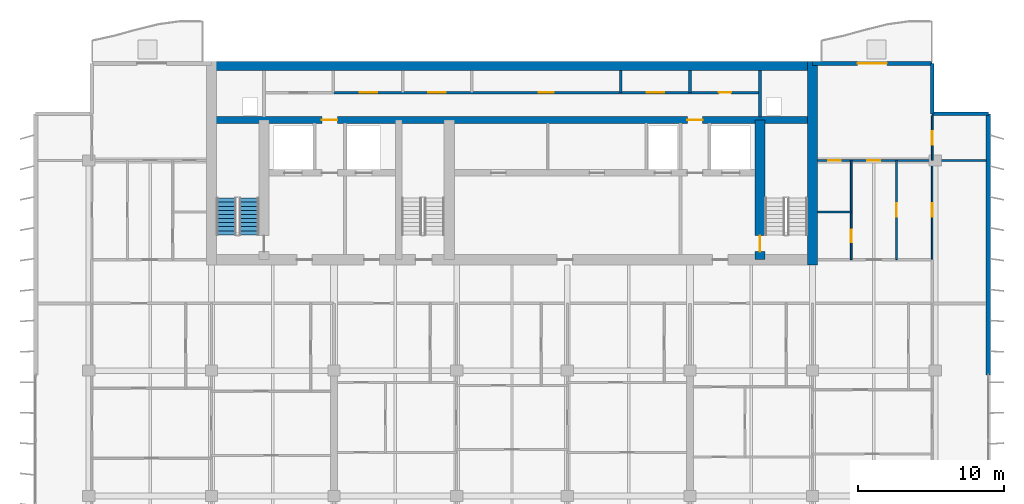
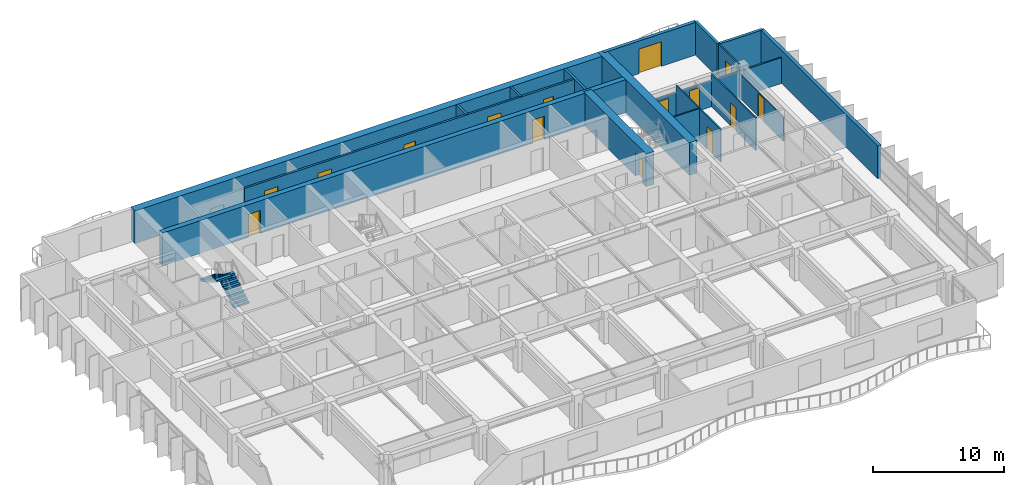
# One storey, part 11 of 16: 18 walls, 15 doors, 2 stair flights, 15 openings, 1 element without a shape of its own.
"""IFC4 building model written with IfcOpenShell, lengths in metres."""

from ifc_helpers import new_model, si_unit, direction, frame, frame_2d, origin, place, context, subcontext, project, spatial, polyline, rectangle, outline, extrude, material, layer, layer_set, type_object, element, fill, aggregate, save


model = new_model("IFC4")

# Units and contexts
model_context = context("Model", 3, precision=1e-05, world=origin(), true_north=direction((0.0, 1.0)))
body_context = subcontext(model_context, "Body", "Model", "MODEL_VIEW")
ifc_project = project(units=[si_unit("LENGTHUNIT", "METRE"), si_unit("AREAUNIT", "SQUARE_METRE"), si_unit("VOLUMEUNIT", "CUBIC_METRE"), si_unit("PLANEANGLEUNIT", "RADIAN"), si_unit("MASSUNIT", "GRAM", prefix="KILO")], contexts=[model_context])

# Site, building, storey
site_placement = place(None, origin())
site = spatial("IfcSite", under=ifc_project, at=site_placement, CompositionType="ELEMENT")
building_placement = place(site_placement, origin())
building = spatial("IfcBuilding", under=site, at=building_placement, Name="Caelmar Bay Residences", CompositionType="ELEMENT")
storey_placement = place(building_placement, frame((0.0, 0.0, 211.5)))
storey = spatial("IfcBuildingStorey", under=building, at=storey_placement, Name="L59", CompositionType="ELEMENT", Elevation=211.5)

# Wall
ifc_material_1 = material(Name="Concrete f'c 55 MPa (8,000 psi)", Category="concrete")
ifc_layer_1 = layer(ifc_material_1, 0.699951171875)
ifc_layer_set_1 = layer_set([ifc_layer_1], Name="Concrete f'c 55 MPa (8,000 psi)")
wall_type_1 = type_object("IfcWallType", Name="SW-COR-700", PredefinedType="SHEAR", material=ifc_layer_set_1)
wall_1_placement = place(storey_placement, frame((59.5, 36.64990234375, 0.0), z_axis=(0.0, 0.0, 1.0), x_axis=(0.0, 1.0, 0.0)))
element("IfcWall", 1, at=wall_1_placement, inside=storey, type_object=wall_type_1, Name="L59 Rear Core East Shear Wall", PredefinedType="SHEAR", context=body_context, shape_type="SweptSolid", body=[
    extrude(rectangle(XDim=13.9501953125, YDim=0.699951171875, at=frame_2d((6.97509765625, 0.0))), origin(), (0.0, 0.0, 1.0), 3.050048828125),
])

# Wall, opening, door
wall_2_placement = place(storey_placement, frame((55.89990234375, 37.0, 0.0), z_axis=(0.0, 0.0, 1.0), x_axis=(0.0, 1.0, 0.0)))
wall_2 = element("IfcWall", 2, at=wall_2_placement, inside=storey, type_object=wall_type_1, Name="L59 Core Structural Web Wall ST2W", PredefinedType="SHEAR", context=body_context, shape_type="SweptSolid", body=[
    extrude(rectangle(XDim=9.574951171875, YDim=0.699951171875, at=frame_2d((4.78759765625, 0.0))), origin(), (0.0, 0.0, 1.0), 3.050048828125),
])
opening_1_placement = place(wall_2_placement, frame((0.550048828125, 0.0, 0.0)))
opening_1 = element("IfcOpeningElement", 3, at=opening_1_placement, cuts=wall_2, Name="Opening D-L59-110", PredefinedType="OPENING", context=body_context, shape_type="SweptSolid", body=[
    extrude(rectangle(XDim=1.10009765625, YDim=2.14990234375, at=frame_2d((0.550048828125, 1.074951171875))), frame((0.0, 0.35986328125, 0.0), z_axis=(0.0, -1.0, 0.0), x_axis=(1.0, 0.0, 0.0)), (0.0, 0.0, 1.0), 0.719970703125),
])
ifc_material_2 = material(Name="Fire-rated steel and walnut architectural door assembly", Category="steel")
ifc_layer_2 = layer(ifc_material_2, 0.050048828125)
ifc_layer_set_2 = layer_set([ifc_layer_2], Name="Fire-rated steel and walnut architectural door assembly")
door_type_1 = type_object("IfcDoorType", Name="D-STAIR-1100", OperationType="NOTDEFINED", PredefinedType="DOOR", material=ifc_layer_set_2)
door_1_placement = place(opening_1_placement, origin())
door_1 = element("IfcDoor", 4, at=door_1_placement, inside=storey, type_object=door_type_1, Name="L59 Firefighting Lobby East Door", OperationType="SINGLE_SWING_RIGHT", OverallHeight=2.14990234375, OverallWidth=1.10009765625, PredefinedType="DOOR", context=body_context, shape_type="SweptSolid", body=[
    extrude(rectangle(XDim=1.10009765625, YDim=2.14990234375, at=frame_2d((0.550048828125, 1.074951171875))), frame((0.0, 0.02490234375, 0.0), z_axis=(0.0, -1.0, 0.0), x_axis=(1.0, 0.0, 0.0)), (0.0, 0.0, 1.0), 0.050048828125),
])
fill(opening_1, door_1)

# Wall
ifc_layer_3 = layer(ifc_material_1, 0.64990234375)
ifc_layer_set_3 = layer_set([ifc_layer_3], Name="Concrete f'c 55 MPa (8,000 psi)")
wall_type_2 = type_object("IfcWallType", Name="SW-CORN-650", PredefinedType="SHEAR", material=ifc_layer_set_3)
wall_3_placement = place(storey_placement, frame((17.949951171875, 50.27490234375, 0.0), z_axis=(0.0, 0.0, 1.0), x_axis=(1.0, 0.0, 0.0)))
element("IfcWall", 5, at=wall_3_placement, inside=storey, type_object=wall_type_2, Name="L59 Rear Core North Shear Wall", PredefinedType="SHEAR", context=body_context, shape_type="SweptSolid", body=[
    extrude(rectangle(XDim=41.900146484375, YDim=0.64990234375, at=frame_2d((20.9501953125, 0.0))), origin(), (0.0, 0.0, 1.0), 3.050048828125),
])

# Wall, openings, doors
ifc_material_3 = material(Name="Concrete f'c 70 MPa (10,000 psi)", Category="concrete")
ifc_layer_4 = layer(ifc_material_3, 0.449951171875)
ifc_layer_set_4 = layer_set([ifc_layer_4], Name="Concrete f'c 70 MPa (10,000 psi)")
wall_type_3 = type_object("IfcWallType", Name="SW-WEB-450", PredefinedType="SHEAR", material=ifc_layer_set_4)
wall_4_placement = place(storey_placement, frame((18.300048828125, 46.574951171875, 0.0), z_axis=(0.0, 0.0, 1.0), x_axis=(1.0, 0.0, 0.0)))
wall_4 = element("IfcWall", 6, at=wall_4_placement, inside=storey, type_object=wall_type_3, Name="L59 Core Structural Web Wall SRVS", PredefinedType="SHEAR", context=body_context, shape_type="SweptSolid", body=[
    extrude(rectangle(XDim=41.199951171875, YDim=0.449951171875, at=frame_2d((20.60009765625, 0.0))), origin(), (0.0, 0.0, 1.0), 3.050048828125),
])
opening_2_placement = place(wall_4_placement, frame((7.574951171875, 0.0, 0.0)))
opening_2 = element("IfcOpeningElement", 7, at=opening_2_placement, cuts=wall_4, Name="Opening D-L59-116", PredefinedType="OPENING", context=body_context, shape_type="SweptSolid", body=[
    extrude(rectangle(XDim=1.050048828125, YDim=2.14990234375, at=frame_2d((0.52490234375, 1.074951171875))), frame((0.0, 0.23486328125, 0.0), z_axis=(0.0, -1.0, 0.0), x_axis=(1.0, 0.0, 0.0)), (0.0, 0.0, 1.0), 0.469970703125),
])
opening_3_placement = place(wall_4_placement, frame((32.625, 0.0, 0.0)))
opening_3 = element("IfcOpeningElement", 8, at=opening_3_placement, cuts=wall_4, Name="Opening D-L59-117", PredefinedType="OPENING", context=body_context, shape_type="SweptSolid", body=[
    extrude(rectangle(XDim=1.050048828125, YDim=2.14990234375, at=frame_2d((0.52490234375, 1.074951171875))), frame((0.0, 0.23486328125, 0.0), z_axis=(0.0, -1.0, 0.0), x_axis=(1.0, 0.0, 0.0)), (0.0, 0.0, 1.0), 0.469970703125),
])
ifc_layer_5 = layer(ifc_material_2, 0.050048828125)
ifc_layer_set_5 = layer_set([ifc_layer_5], Name="Fire-rated steel and walnut architectural door assembly")
door_type_2 = type_object("IfcDoorType", Name="D-FSAE-1050", OperationType="NOTDEFINED", PredefinedType="DOOR", material=ifc_layer_set_5)
door_2_placement = place(opening_2_placement, origin())
door_2 = element("IfcDoor", 9, at=door_2_placement, inside=storey, type_object=door_type_2, Name="L59 Core Service Corridor Door", OperationType="SINGLE_SWING_RIGHT", OverallHeight=2.14990234375, OverallWidth=1.050048828125, PredefinedType="DOOR", context=body_context, shape_type="SweptSolid", body=[
    extrude(rectangle(XDim=1.050048828125, YDim=2.14990234375, at=frame_2d((0.52490234375, 1.074951171875))), frame((0.0, 0.02490234375, 0.0), z_axis=(0.0, -1.0, 0.0), x_axis=(1.0, 0.0, 0.0)), (0.0, 0.0, 1.0), 0.050048828125),
])
fill(opening_2, door_2)
door_3_placement = place(opening_3_placement, origin())
door_3 = element("IfcDoor", 10, at=door_3_placement, inside=storey, type_object=door_type_2, Name="L59 Core Service Corridor Door", OperationType="SINGLE_SWING_LEFT", OverallHeight=2.14990234375, OverallWidth=1.050048828125, PredefinedType="DOOR", context=body_context, shape_type="SweptSolid", body=[
    extrude(rectangle(XDim=1.050048828125, YDim=2.14990234375, at=frame_2d((0.52490234375, 1.074951171875))), frame((0.0, 0.02490234375, 0.0), z_axis=(0.0, -1.0, 0.0), x_axis=(1.0, 0.0, 0.0)), (0.0, 0.0, 1.0), 0.050048828125),
])
fill(opening_3, door_3)

# Walls
ifc_material_4 = material(Name="Double-stud acoustic fire-rated gypsum partition 180 mm")
ifc_layer_6 = layer(ifc_material_4, 0.179931640625)
ifc_layer_set_6 = layer_set([ifc_layer_6], Name="Double-stud acoustic fire-rated gypsum partition 180 mm")
wall_type_4 = type_object("IfcWallType", Name="W-COR-200", PredefinedType="PARTITIONING", material=ifc_layer_set_6)
for number, where, z_axis, x_axis, name in (
    (11, (46.35009765625, 48.449951171875, 0.0), (0.0, 0.0, 1.0), (0.0, 1.0, 0.0), "L59 Partition Wall V029"),
    (12, (51.10009765625, 48.449951171875, 0.0), (0.0, 0.0, 1.0), (0.0, 1.0, 0.0), "L59 Partition Wall V037"),
):
    element("IfcWall", number, at=place(storey_placement, frame(where, z_axis=z_axis, x_axis=x_axis)), inside=storey, type_object=wall_type_4, Name=name, PredefinedType="PARTITIONING", context=body_context, shape_type="SweptSolid", body=[
        extrude(rectangle(XDim=1.505126953125, YDim=0.179931640625, at=frame_2d((0.75244140625, 0.0))), origin(), (0.0, 0.0, 1.0), 3.050048828125),
    ])

# Wall, openings, doors
wall_5_placement = place(storey_placement, frame((26.699951171875, 48.449951171875, 0.0), z_axis=(0.0, 0.0, 1.0), x_axis=(1.0, 0.0, 0.0)))
wall_5 = element("IfcWall", 13, at=wall_5_placement, inside=storey, type_object=wall_type_4, Name="L59 Partition Wall H079", PredefinedType="PARTITIONING", context=body_context, shape_type="SweptSolid", body=[
    extrude(rectangle(XDim=29.199951171875, YDim=0.179931640625, at=frame_2d((14.60009765625, 0.0))), origin(), (0.0, 0.0, 1.0), 3.050048828125),
])
opening_4_placement = place(wall_5_placement, frame((1.75, 0.0, 0.0)))
opening_4 = element("IfcOpeningElement", 14, at=opening_4_placement, cuts=wall_5, Name="Opening D-L59-119", PredefinedType="OPENING", context=body_context, shape_type="SweptSolid", body=[
    extrude(rectangle(XDim=1.199951171875, YDim=2.199951171875, at=frame_2d((0.60009765625, 1.10009765625))), frame((0.0, 0.099853515625, 0.0), z_axis=(0.0, -1.0, 0.0), x_axis=(1.0, 0.0, 0.0)), (0.0, 0.0, 1.0), 0.199951171875),
])
opening_5_placement = place(wall_5_placement, frame((6.47509765625, 0.0, 0.0)))
opening_5 = element("IfcOpeningElement", 15, at=opening_5_placement, cuts=wall_5, Name="Opening D-L59-120", PredefinedType="OPENING", context=body_context, shape_type="SweptSolid", body=[
    extrude(rectangle(XDim=1.199951171875, YDim=2.199951171875, at=frame_2d((0.60009765625, 1.10009765625))), frame((0.0, 0.099853515625, 0.0), z_axis=(0.0, -1.0, 0.0), x_axis=(1.0, 0.0, 0.0)), (0.0, 0.0, 1.0), 0.199951171875),
])
opening_6_placement = place(wall_5_placement, frame((14.050048828125, 0.0, 0.0)))
opening_6 = element("IfcOpeningElement", 16, at=opening_6_placement, cuts=wall_5, Name="Opening D-L59-121", PredefinedType="OPENING", context=body_context, shape_type="SweptSolid", body=[
    extrude(rectangle(XDim=1.0, YDim=2.199951171875, at=frame_2d((0.5, 1.10009765625))), frame((0.0, 0.099853515625, 0.0), z_axis=(0.0, -1.0, 0.0), x_axis=(1.0, 0.0, 0.0)), (0.0, 0.0, 1.0), 0.199951171875),
])
opening_7_placement = place(wall_5_placement, frame((21.425048828125, 0.0, 0.0)))
opening_7 = element("IfcOpeningElement", 17, at=opening_7_placement, cuts=wall_5, Name="Opening D-L59-122", PredefinedType="OPENING", context=body_context, shape_type="SweptSolid", body=[
    extrude(rectangle(XDim=1.199951171875, YDim=2.199951171875, at=frame_2d((0.60009765625, 1.10009765625))), frame((0.0, 0.099853515625, 0.0), z_axis=(0.0, -1.0, 0.0), x_axis=(1.0, 0.0, 0.0)), (0.0, 0.0, 1.0), 0.199951171875),
])
opening_8_placement = place(wall_5_placement, frame((26.375, 0.0, 0.0)))
opening_8 = element("IfcOpeningElement", 18, at=opening_8_placement, cuts=wall_5, Name="Opening D-L59-123", PredefinedType="OPENING", context=body_context, shape_type="SweptSolid", body=[
    extrude(rectangle(XDim=0.85009765625, YDim=2.10009765625, at=frame_2d((0.425048828125, 1.050048828125))), frame((0.0, 0.099853515625, 0.0), z_axis=(0.0, -1.0, 0.0), x_axis=(1.0, 0.0, 0.0)), (0.0, 0.0, 1.0), 0.199951171875),
])
ifc_layer_7 = layer(ifc_material_2, 0.050048828125)
ifc_layer_set_7 = layer_set([ifc_layer_7], Name="Fire-rated steel and walnut architectural door assembly")
door_type_3 = type_object("IfcDoorType", Name="D-CORE-850", OperationType="NOTDEFINED", PredefinedType="DOOR", material=ifc_layer_set_7)
door_4_placement = place(opening_8_placement, origin())
door_4 = element("IfcDoor", 19, at=door_4_placement, inside=storey, type_object=door_type_3, Name="L59 Staff Restroom Door", OperationType="SINGLE_SWING_LEFT", OverallHeight=2.10009765625, OverallWidth=0.85009765625, PredefinedType="DOOR", context=body_context, shape_type="SweptSolid", body=[
    extrude(rectangle(XDim=0.85009765625, YDim=2.10009765625, at=frame_2d((0.425048828125, 1.050048828125))), frame((0.0, 0.02490234375, 0.0), z_axis=(0.0, -1.0, 0.0), x_axis=(1.0, 0.0, 0.0)), (0.0, 0.0, 1.0), 0.050048828125),
])
fill(opening_8, door_4)
ifc_layer_8 = layer(ifc_material_2, 0.050048828125)
ifc_layer_set_8 = layer_set([ifc_layer_8], Name="Fire-rated steel and walnut architectural door assembly")
door_type_4 = type_object("IfcDoorType", Name="D-PLANT-1200", OperationType="NOTDEFINED", PredefinedType="DOOR", material=ifc_layer_set_8)
door_5_placement = place(opening_4_placement, origin())
door_5 = element("IfcDoor", 20, at=door_5_placement, inside=storey, type_object=door_type_4, Name="L59 Water Meter Closet Door", OperationType="SINGLE_SWING_LEFT", OverallHeight=2.199951171875, OverallWidth=1.199951171875, PredefinedType="DOOR", context=body_context, shape_type="SweptSolid", body=[
    extrude(rectangle(XDim=1.199951171875, YDim=2.199951171875, at=frame_2d((0.60009765625, 1.10009765625))), frame((0.0, 0.02490234375, 0.0), z_axis=(0.0, -1.0, 0.0), x_axis=(1.0, 0.0, 0.0)), (0.0, 0.0, 1.0), 0.050048828125),
])
fill(opening_4, door_5)
door_6_placement = place(opening_5_placement, origin())
door_6 = element("IfcDoor", 21, at=door_6_placement, inside=storey, type_object=door_type_4, Name="L59 Low-Voltage Data Closet Door", OperationType="SINGLE_SWING_RIGHT", OverallHeight=2.199951171875, OverallWidth=1.199951171875, PredefinedType="DOOR", context=body_context, shape_type="SweptSolid", body=[
    extrude(rectangle(XDim=1.199951171875, YDim=2.199951171875, at=frame_2d((0.60009765625, 1.10009765625))), frame((0.0, 0.02490234375, 0.0), z_axis=(0.0, -1.0, 0.0), x_axis=(1.0, 0.0, 0.0)), (0.0, 0.0, 1.0), 0.050048828125),
])
fill(opening_5, door_6)
door_7_placement = place(opening_7_placement, origin())
door_7 = element("IfcDoor", 22, at=door_7_placement, inside=storey, type_object=door_type_4, Name="L59 Valet Trunk Closet Door", OperationType="SINGLE_SWING_RIGHT", OverallHeight=2.199951171875, OverallWidth=1.199951171875, PredefinedType="DOOR", context=body_context, shape_type="SweptSolid", body=[
    extrude(rectangle(XDim=1.199951171875, YDim=2.199951171875, at=frame_2d((0.60009765625, 1.10009765625))), frame((0.0, 0.02490234375, 0.0), z_axis=(0.0, -1.0, 0.0), x_axis=(1.0, 0.0, 0.0)), (0.0, 0.0, 1.0), 0.050048828125),
])
fill(opening_7, door_7)
ifc_layer_9 = layer(ifc_material_2, 0.050048828125)
ifc_layer_set_9 = layer_set([ifc_layer_9], Name="Fire-rated steel and walnut architectural door assembly")
door_type_5 = type_object("IfcDoorType", Name="D-UNIT-1000", OperationType="NOTDEFINED", PredefinedType="DOOR", material=ifc_layer_set_9)
door_8_placement = place(opening_6_placement, origin())
door_8 = element("IfcDoor", 23, at=door_8_placement, inside=storey, type_object=door_type_5, Name="L59 Mail Sorting Office Door", OperationType="SINGLE_SWING_LEFT", OverallHeight=2.199951171875, OverallWidth=1.0, PredefinedType="DOOR", context=body_context, shape_type="SweptSolid", body=[
    extrude(rectangle(XDim=1.0, YDim=2.199951171875, at=frame_2d((0.5, 1.10009765625))), frame((0.0, 0.02490234375, 0.0), z_axis=(0.0, -1.0, 0.0), x_axis=(1.0, 0.0, 0.0)), (0.0, 0.0, 1.0), 0.050048828125),
])
fill(opening_6, door_8)

# Walls
ifc_material_5 = material(Name="Precast concrete f'c 40 MPa (6,000 psi)", Category="concrete")
ifc_layer_10 = layer(ifc_material_5, 0.25)
ifc_layer_set_10 = layer_set([ifc_layer_10], Name="Precast concrete f'c 40 MPa (6,000 psi)")
wall_type_5 = type_object("IfcWallType", Name="W-EXT-250", PredefinedType="ELEMENTEDWALL", material=ifc_layer_set_10)
wall_6_placement = place(storey_placement, frame((67.699951171875, 50.449951171875, 0.0), z_axis=(0.0, 0.0, 1.0), x_axis=(0.0, -1.0, 0.0)))
element("IfcWall", 24, at=wall_6_placement, inside=storey, type_object=wall_type_5, Name="L59 NNE-V Notch Wall", PredefinedType="ELEMENTEDWALL", context=body_context, shape_type="SweptSolid", body=[
    extrude(rectangle(XDim=3.449951171875, YDim=0.25, at=frame_2d((1.72509765625, 0.0))), origin(), (0.0, 0.0, 1.0), 3.050048828125),
])
wall_7_placement = place(storey_placement, frame((67.699951171875, 47.0, 0.0), z_axis=(0.0, 0.0, 1.0), x_axis=(1.0, 0.0, 0.0)))
element("IfcWall", 25, at=wall_7_placement, inside=storey, type_object=wall_type_5, Name="L59 NNE-H Notch Wall", PredefinedType="ELEMENTEDWALL", context=body_context, shape_type="SweptSolid", body=[
    extrude(rectangle(XDim=3.85009765625, YDim=0.25, at=frame_2d((1.925048828125, 0.0))), origin(), (0.0, 0.0, 1.0), 3.050048828125),
])
ifc_layer_11 = layer(ifc_material_5, 0.300048828125)
ifc_layer_set_11 = layer_set([ifc_layer_11], Name="Precast concrete f'c 40 MPa (6,000 psi)")
wall_type_6 = type_object("IfcWallType", Name="W-EXT-300", PredefinedType="STANDARD", material=ifc_layer_set_11)
wall_8_placement = place(storey_placement, frame((71.550048828125, 47.0, 0.0), z_axis=(0.0, 0.0, 1.0), x_axis=(0.0, -1.0, 0.0)))
element("IfcWall", 26, at=wall_8_placement, inside=storey, type_object=wall_type_6, Name="L59 East Rear Exterior Wall", PredefinedType="STANDARD", context=body_context, shape_type="SweptSolid", body=[
    extrude(rectangle(XDim=17.89990234375, YDim=0.300048828125, at=frame_2d((8.949951171875, 0.0))), origin(), (0.0, 0.0, 1.0), 3.050048828125),
])

# Wall, opening, door
wall_9_placement = place(storey_placement, frame((59.5, 50.449951171875, 0.0), z_axis=(0.0, 0.0, 1.0), x_axis=(1.0, 0.0, 0.0)))
wall_9 = element("IfcWall", 27, at=wall_9_placement, inside=storey, type_object=wall_type_6, Name="L59 North-East Wing Exterior Wall", PredefinedType="STANDARD", context=body_context, shape_type="SweptSolid", body=[
    extrude(rectangle(XDim=8.199951171875, YDim=0.300048828125, at=frame_2d((4.10009765625, 0.0))), origin(), (0.0, 0.0, 1.0), 3.050048828125),
])
opening_9_placement = place(wall_9_placement, frame((3.10009765625, 0.0, 0.0)))
opening_9 = element("IfcOpeningElement", 28, at=opening_9_placement, cuts=wall_9, Name="Opening L59-BDNE", PredefinedType="OPENING", context=body_context, shape_type="SweptSolid", body=[
    extrude(rectangle(XDim=2.0, YDim=2.300048828125, at=frame_2d((1.0, 1.14990234375))), frame((0.0, 0.159912109375, 0.0), z_axis=(0.0, -1.0, 0.0), x_axis=(1.0, 0.0, 0.0)), (0.0, 0.0, 1.0), 0.320068359375),
])
ifc_material_6 = material(Name="Anodised bronze thermally broken sliding glass door", Category="glass")
ifc_layer_12 = layer(ifc_material_6, 0.050048828125)
ifc_layer_set_12 = layer_set([ifc_layer_12], Name="Anodised bronze thermally broken sliding glass door")
door_type_6 = type_object("IfcDoorType", Name="D-BAL-2000", OperationType="DOUBLE_DOOR_SLIDING", PredefinedType="DOOR", material=ifc_layer_set_12)
door_9_placement = place(opening_9_placement, origin())
door_9 = element("IfcDoor", 29, at=door_9_placement, inside=storey, type_object=door_type_6, Name="L59 North-East Balcony Door", OperationType="DOUBLE_DOOR_SLIDING", OverallHeight=2.300048828125, OverallWidth=2.0, PredefinedType="DOOR", context=body_context, shape_type="SweptSolid", body=[
    extrude(rectangle(XDim=2.0, YDim=2.300048828125, at=frame_2d((1.0, 1.14990234375))), frame((0.0, 0.02490234375, 0.0), z_axis=(0.0, -1.0, 0.0), x_axis=(1.0, 0.0, 0.0)), (0.0, 0.0, 1.0), 0.050048828125),
])
fill(opening_9, door_9)

# Wall
ifc_material_7 = material(Name="Fire-rated masonry and gypsum shaftliner assembly 200 mm", Category="masonry")
ifc_layer_13 = layer(ifc_material_7, 0.199951171875)
ifc_layer_set_13 = layer_set([ifc_layer_13], Name="Fire-rated masonry and gypsum shaftliner assembly 200 mm")
wall_type_7 = type_object("IfcWallType", Name="W-FSAE-200", PredefinedType="PARTITIONING", material=ifc_layer_set_13)
wall_10_placement = place(storey_placement, frame((55.89990234375, 46.794921875, 0.0), z_axis=(0.0, 0.0, 1.0), x_axis=(0.0, 1.0, 0.0)))
element("IfcWall", 30, at=wall_10_placement, inside=storey, type_object=wall_type_7, Name="L59 Partition Wall V040", PredefinedType="PARTITIONING", context=body_context, shape_type="SweptSolid", body=[
    extrude(rectangle(XDim=3.16015625, YDim=0.199951171875, at=frame_2d((1.580078125, 0.0))), origin(), (0.0, 0.0, 1.0), 3.050048828125),
])

# Wall, opening, door
ifc_material_8 = material(Name="Anodised bronze framed acoustic sliding study partition 100 mm")
ifc_layer_14 = layer(ifc_material_8, 0.10009765625)
ifc_layer_set_14 = layer_set([ifc_layer_14], Name="Anodised bronze framed acoustic sliding study partition 100 mm")
wall_type_8 = type_object("IfcWallType", Name="W-MOV-100", PredefinedType="MOVABLE", material=ifc_layer_set_14)
wall_11_placement = place(storey_placement, frame((67.699951171875, 37.0048828125, 0.0), z_axis=(0.0, 0.0, 1.0), x_axis=(0.0, 1.0, 0.0)))
wall_11 = element("IfcWall", 31, at=wall_11_placement, inside=storey, type_object=wall_type_8, Name="L59 Partition Wall V049", PredefinedType="MOVABLE", context=body_context, shape_type="SweptSolid", body=[
    extrude(rectangle(XDim=6.795166015625, YDim=0.10009765625, at=frame_2d((3.3974609375, 0.0))), origin(), (0.0, 0.0, 1.0), 2.262939453125),
])
opening_10_placement = place(wall_11_placement, frame((2.947509765625, 0.0, 0.0)))
opening_10 = element("IfcOpeningElement", 32, at=opening_10_placement, cuts=wall_11, Name="Opening D-L59-172", PredefinedType="OPENING", context=body_context, shape_type="SweptSolid", body=[
    extrude(rectangle(XDim=0.89990234375, YDim=2.14990234375, at=frame_2d((0.449951171875, 1.074951171875))), frame((0.0, 0.06005859375, 0.0), z_axis=(0.0, -1.0, 0.0), x_axis=(1.0, 0.0, 0.0)), (0.0, 0.0, 1.0), 0.1201171875),
])
ifc_material_9 = material(Name="Solid walnut timber interior door leaf and frame", Category="wood")
ifc_layer_15 = layer(ifc_material_9, 0.050048828125)
ifc_layer_set_15 = layer_set([ifc_layer_15], Name="Solid walnut timber interior door leaf and frame")
door_type_7 = type_object("IfcDoorType", Name="D-ROOM-900", OperationType="NOTDEFINED", PredefinedType="DOOR", material=ifc_layer_set_15)
door_10_placement = place(opening_10_placement, origin())
door_10 = element("IfcDoor", 33, at=door_10_placement, inside=storey, type_object=door_type_7, Name="L59 Residence EA Sun Study Door", OperationType="SINGLE_SWING_RIGHT", OverallHeight=2.14990234375, OverallWidth=0.89990234375, PredefinedType="DOOR", context=body_context, shape_type="SweptSolid", body=[
    extrude(rectangle(XDim=0.89990234375, YDim=2.14990234375, at=frame_2d((0.449951171875, 1.074951171875))), frame((0.0, 0.02490234375, 0.0), z_axis=(0.0, -1.0, 0.0), x_axis=(1.0, 0.0, 0.0)), (0.0, 0.0, 1.0), 0.050048828125),
])
fill(opening_10, door_10)

ifc_material_10 = material(Name="Acoustic metal-stud gypsum partition 120 mm")
ifc_layer_16 = layer(ifc_material_10, 0.1201171875)
ifc_layer_set_16 = layer_set([ifc_layer_16], Name="Acoustic metal-stud gypsum partition 120 mm")
wall_type_9 = type_object("IfcWallType", Name="W-PRT-120", PredefinedType="PARTITIONING", material=ifc_layer_set_16)
wall_12_placement = place(storey_placement, frame((62.14990234375, 37.0, 0.0), z_axis=(0.0, 0.0, 1.0), x_axis=(0.0, 1.0, 0.0)))
wall_12 = element("IfcWall", 34, at=wall_12_placement, inside=storey, type_object=wall_type_9, Name="L59 Partition Wall V044", PredefinedType="PARTITIONING", context=body_context, shape_type="SweptSolid", body=[
    extrude(rectangle(XDim=6.800048828125, YDim=0.1201171875, at=frame_2d((3.39990234375, 0.0))), origin(), (0.0, 0.0, 1.0), 3.050048828125),
])
opening_11_placement = place(wall_12_placement, frame((1.20703125, 0.0, 0.0)))
opening_11 = element("IfcOpeningElement", 35, at=opening_11_placement, cuts=wall_12, Name="Opening D-L59-170", PredefinedType="OPENING", context=body_context, shape_type="SweptSolid", body=[
    extrude(rectangle(XDim=0.85009765625, YDim=2.10009765625, at=frame_2d((0.425048828125, 1.050048828125))), frame((0.0, 0.070068359375, 0.0), z_axis=(0.0, -1.0, 0.0), x_axis=(1.0, 0.0, 0.0)), (0.0, 0.0, 1.0), 0.14013671875),
])
ifc_layer_17 = layer(ifc_material_9, 0.050048828125)
ifc_layer_set_17 = layer_set([ifc_layer_17], Name="Solid walnut timber interior door leaf and frame")
door_type_8 = type_object("IfcDoorType", Name="D-BATH-850", OperationType="NOTDEFINED", PredefinedType="DOOR", material=ifc_layer_set_17)
door_11_placement = place(opening_11_placement, origin())
door_11 = element("IfcDoor", 36, at=door_11_placement, inside=storey, type_object=door_type_8, Name="L59 Residence EA Walk-In Closet Door", OperationType="SINGLE_SWING_RIGHT", OverallHeight=2.10009765625, OverallWidth=0.85009765625, PredefinedType="DOOR", context=body_context, shape_type="SweptSolid", body=[
    extrude(rectangle(XDim=0.85009765625, YDim=2.10009765625, at=frame_2d((0.425048828125, 1.050048828125))), frame((0.0, 0.02490234375, 0.0), z_axis=(0.0, -1.0, 0.0), x_axis=(1.0, 0.0, 0.0)), (0.0, 0.0, 1.0), 0.050048828125),
])
fill(opening_11, door_11)

wall_13_placement = place(storey_placement, frame((65.258056640625, 37.0, 0.0), z_axis=(0.0, 0.0, 1.0), x_axis=(0.0, 1.0, 0.0)))
wall_13 = element("IfcWall", 37, at=wall_13_placement, inside=storey, type_object=wall_type_9, Name="L59 Partition Wall V045", PredefinedType="PARTITIONING", context=body_context, shape_type="SweptSolid", body=[
    extrude(rectangle(XDim=6.800048828125, YDim=0.1201171875, at=frame_2d((3.39990234375, 0.0))), origin(), (0.0, 0.0, 1.0), 3.050048828125),
])
opening_12_placement = place(wall_13_placement, frame((2.949951171875, 0.0, 0.0)))
opening_12 = element("IfcOpeningElement", 38, at=opening_12_placement, cuts=wall_13, Name="Opening D-L59-167", PredefinedType="OPENING", context=body_context, shape_type="SweptSolid", body=[
    extrude(rectangle(XDim=0.89990234375, YDim=2.14990234375, at=frame_2d((0.449951171875, 1.074951171875))), frame((0.0, 0.070068359375, 0.0), z_axis=(0.0, -1.0, 0.0), x_axis=(1.0, 0.0, 0.0)), (0.0, 0.0, 1.0), 0.14013671875),
])
door_12_placement = place(opening_12_placement, origin())
door_12 = element("IfcDoor", 39, at=door_12_placement, inside=storey, type_object=door_type_7, Name="L59 Residence EA Dining Room Door", OperationType="SINGLE_SWING_LEFT", OverallHeight=2.14990234375, OverallWidth=0.89990234375, PredefinedType="DOOR", context=body_context, shape_type="SweptSolid", body=[
    extrude(rectangle(XDim=0.89990234375, YDim=2.14990234375, at=frame_2d((0.449951171875, 1.074951171875))), frame((0.0, 0.02490234375, 0.0), z_axis=(0.0, -1.0, 0.0), x_axis=(1.0, 0.0, 0.0)), (0.0, 0.0, 1.0), 0.050048828125),
])
fill(opening_12, door_12)

wall_14_placement = place(storey_placement, frame((67.699951171875, 43.804931640625, 0.0), z_axis=(0.0, 0.0, 1.0), x_axis=(0.0, 1.0, 0.0)))
wall_14 = element("IfcWall", 40, at=wall_14_placement, inside=storey, type_object=wall_type_9, Name="L59 Partition Wall V050", PredefinedType="PARTITIONING", context=body_context, shape_type="SweptSolid", body=[
    extrude(rectangle(XDim=3.074951171875, YDim=0.1201171875, at=frame_2d((1.53759765625, 0.0))), origin(), (0.0, 0.0, 1.0), 3.050048828125),
])
opening_13_placement = place(wall_14_placement, frame((1.08740234375, 0.0, 0.0)))
opening_13 = element("IfcOpeningElement", 41, at=opening_13_placement, cuts=wall_14, Name="Opening D-L59-173", PredefinedType="OPENING", context=body_context, shape_type="SweptSolid", body=[
    extrude(rectangle(XDim=0.89990234375, YDim=2.14990234375, at=frame_2d((0.449951171875, 1.074951171875))), frame((0.0, 0.070068359375, 0.0), z_axis=(0.0, -1.0, 0.0), x_axis=(1.0, 0.0, 0.0)), (0.0, 0.0, 1.0), 0.14013671875),
])
door_13_placement = place(opening_13_placement, origin())
door_13 = element("IfcDoor", 42, at=door_13_placement, inside=storey, type_object=door_type_7, Name="L59 Residence EA North Sitting Alcove Door", OperationType="SINGLE_SWING_LEFT", OverallHeight=2.14990234375, OverallWidth=0.89990234375, PredefinedType="DOOR", context=body_context, shape_type="SweptSolid", body=[
    extrude(rectangle(XDim=0.89990234375, YDim=2.14990234375, at=frame_2d((0.449951171875, 1.074951171875))), frame((0.0, 0.02490234375, 0.0), z_axis=(0.0, -1.0, 0.0), x_axis=(1.0, 0.0, 0.0)), (0.0, 0.0, 1.0), 0.050048828125),
])
fill(opening_13, door_13)

# Wall
wall_15_placement = place(storey_placement, frame((59.844970703125, 40.263916015625, 0.0), z_axis=(0.0, 0.0, 1.0), x_axis=(1.0, 0.0, 0.0)))
element("IfcWall", 43, at=wall_15_placement, inside=storey, type_object=wall_type_9, Name="L59 Partition Wall H075", PredefinedType="PARTITIONING", context=body_context, shape_type="SweptSolid", body=[
    extrude(rectangle(XDim=2.304931640625, YDim=0.1201171875, at=frame_2d((1.15234375, 0.0))), origin(), (0.0, 0.0, 1.0), 3.050048828125),
])

# Wall, openings, doors
wall_16_placement = place(storey_placement, frame((59.844970703125, 43.800048828125, 0.0), z_axis=(0.0, 0.0, 1.0), x_axis=(1.0, 0.0, 0.0)))
wall_16 = element("IfcWall", 44, at=wall_16_placement, inside=storey, type_object=wall_type_9, Name="L59 Partition Wall H077", PredefinedType="PARTITIONING", context=body_context, shape_type="SweptSolid", body=[
    extrude(rectangle(XDim=11.56005859375, YDim=0.1201171875, at=frame_2d((5.780029296875, 0.0))), origin(), (0.0, 0.0, 1.0), 2.41796875),
])
opening_14_placement = place(wall_16_placement, frame((3.408935546875, 0.0, 0.0)))
opening_14 = element("IfcOpeningElement", 45, at=opening_14_placement, cuts=wall_16, Name="Opening D-L59-169", PredefinedType="OPENING", context=body_context, shape_type="SweptSolid", body=[
    extrude(rectangle(XDim=0.89990234375, YDim=2.14990234375, at=frame_2d((0.449951171875, 1.074951171875))), frame((0.0, 0.070068359375, 0.0), z_axis=(0.0, -1.0, 0.0), x_axis=(1.0, 0.0, 0.0)), (0.0, 0.0, 1.0), 0.14013671875),
])
opening_15_placement = place(wall_16_placement, frame((0.7275390625, 0.0, 0.0)))
opening_15 = element("IfcOpeningElement", 46, at=opening_15_placement, cuts=wall_16, Name="Opening D-L59-171", PredefinedType="OPENING", context=body_context, shape_type="SweptSolid", body=[
    extrude(rectangle(XDim=0.85009765625, YDim=2.10009765625, at=frame_2d((0.425048828125, 1.050048828125))), frame((0.0, 0.070068359375, 0.0), z_axis=(0.0, -1.0, 0.0), x_axis=(1.0, 0.0, 0.0)), (0.0, 0.0, 1.0), 0.14013671875),
])
door_14_placement = place(opening_15_placement, origin())
door_14 = element("IfcDoor", 47, at=door_14_placement, inside=storey, type_object=door_type_8, Name="L59 Residence EA Bathroom Door", OperationType="SINGLE_SWING_LEFT", OverallHeight=2.10009765625, OverallWidth=0.85009765625, PredefinedType="DOOR", context=body_context, shape_type="SweptSolid", body=[
    extrude(rectangle(XDim=0.85009765625, YDim=2.10009765625, at=frame_2d((0.425048828125, 1.050048828125))), frame((0.0, 0.02490234375, 0.0), z_axis=(0.0, -1.0, 0.0), x_axis=(1.0, 0.0, 0.0)), (0.0, 0.0, 1.0), 0.050048828125),
])
fill(opening_15, door_14)
door_15_placement = place(opening_14_placement, origin())
door_15 = element("IfcDoor", 48, at=door_15_placement, inside=storey, type_object=door_type_7, Name="L59 Residence EA Studio Living and Sleeping Room Door", OperationType="SINGLE_SWING_LEFT", OverallHeight=2.14990234375, OverallWidth=0.89990234375, PredefinedType="DOOR", context=body_context, shape_type="SweptSolid", body=[
    extrude(rectangle(XDim=0.89990234375, YDim=2.14990234375, at=frame_2d((0.449951171875, 1.074951171875))), frame((0.0, 0.02490234375, 0.0), z_axis=(0.0, -1.0, 0.0), x_axis=(1.0, 0.0, 0.0)), (0.0, 0.0, 1.0), 0.050048828125),
])
fill(opening_14, door_15)

# Stair, stair flights
ifc_material_11 = material(Name="Concrete f'c 40 MPa (6,000 psi)", Category="concrete")
stair_type = type_object("IfcStairType", Name="ST-TYP-165", PredefinedType="HALF_TURN_STAIR", material=ifc_material_11)
stair_placement = place(storey_placement, origin())
stair = element("IfcStair", 49, at=stair_placement, inside=storey, type_object=stair_type, Name="L59 West Smokeproof Exit Stair ST1", PredefinedType="HALF_TURN_STAIR")
stair_flight_type = type_object("IfcStairFlightType", Name="STF-1350", PredefinedType="STRAIGHT", material=ifc_material_11)
stair_flight_1_placement = place(storey_placement, frame((20.875, 38.699951171875, 0.0), z_axis=(0.0, 0.0, 1.0), x_axis=(0.0, 1.0, 0.0)))
stair_flight_1 = element("IfcStairFlight", 50, at=stair_flight_1_placement, type_object=stair_flight_type, Name="ST1 flight 1", NumberOfRisers=10, NumberOfTreads=9, PredefinedType="STRAIGHT", RiserHeight=0.165, TreadLength=0.28, context=body_context, shape_type="SweptSolid", body=[
    extrude(outline(polyline([(0.0, 0.0), (0.0, 0.1650390625), (0.280029296875, 0.1650390625), (0.280029296875, 0.330078125), (0.56005859375, 0.330078125), (0.56005859375, 0.4951171875), (0.840087890625, 0.4951171875), (0.840087890625, 0.659912109375), (1.1201171875, 0.659912109375), (1.1201171875, 0.824951171875), (1.39990234375, 0.824951171875), (1.39990234375, 0.989990234375), (1.679931640625, 0.989990234375), (1.679931640625, 1.155029296875), (1.9599609375, 1.155029296875), (1.9599609375, 1.320068359375), (2.239990234375, 1.320068359375), (2.239990234375, 1.485107421875), (2.52001953125, 1.485107421875), (2.52001953125, 1.64990234375), (2.52001953125, 1.31103515625), (0.295166015625, 0.0), (0.0, 0.0)])), frame((0.0, 0.675048828125, 0.0), z_axis=(0.0, -1.0, 0.0), x_axis=(1.0, 0.0, 0.0)), (0.0, 0.0, 1.0), 1.35009765625),
])
stair_flight_2_placement = place(storey_placement, frame((19.324951171875, 41.219970703125, 1.64990234375), z_axis=(0.0, 0.0, 1.0), x_axis=(0.0, -1.0, 0.0)))
stair_flight_2 = element("IfcStairFlight", 51, at=stair_flight_2_placement, type_object=stair_flight_type, Name="ST1 flight 2", NumberOfRisers=10, NumberOfTreads=9, PredefinedType="STRAIGHT", RiserHeight=0.165, TreadLength=0.28, context=body_context, shape_type="SweptSolid", body=[
    extrude(outline(polyline([(0.0, 0.0), (0.0, 0.1650390625), (0.280029296875, 0.1650390625), (0.280029296875, 0.330078125), (0.56005859375, 0.330078125), (0.56005859375, 0.4951171875), (0.840087890625, 0.4951171875), (0.840087890625, 0.659912109375), (1.1201171875, 0.659912109375), (1.1201171875, 0.824951171875), (1.39990234375, 0.824951171875), (1.39990234375, 0.989990234375), (1.679931640625, 0.989990234375), (1.679931640625, 1.155029296875), (1.9599609375, 1.155029296875), (1.9599609375, 1.320068359375), (2.239990234375, 1.320068359375), (2.239990234375, 1.485107421875), (2.52001953125, 1.485107421875), (2.52001953125, 1.64990234375), (2.52001953125, 1.31103515625), (0.295166015625, 0.0), (0.0, 0.0)])), frame((0.0, 0.675048828125, 0.0), z_axis=(0.0, -1.0, 0.0), x_axis=(1.0, 0.0, 0.0)), (0.0, 0.0, 1.0), 1.35009765625),
])
aggregate(stair, [stair_flight_1, stair_flight_2])

save(model, "model.ifc")
